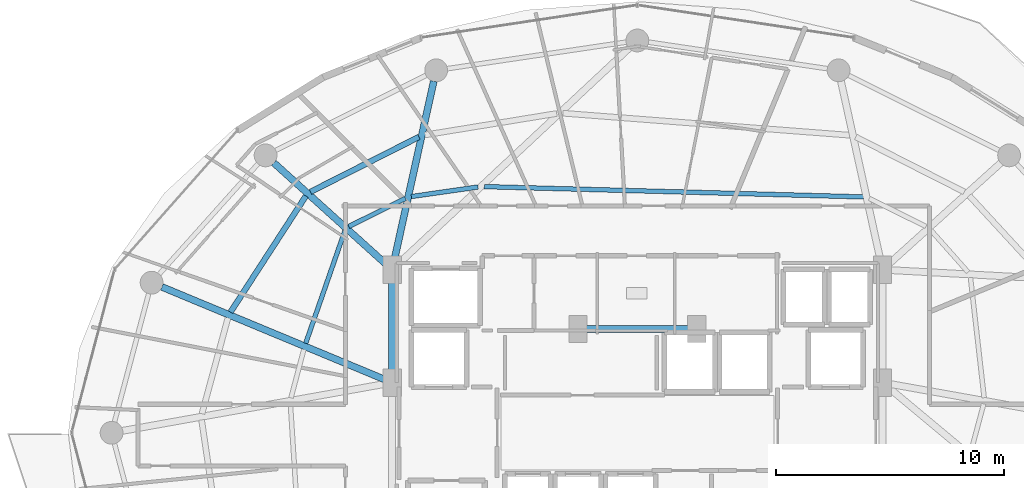
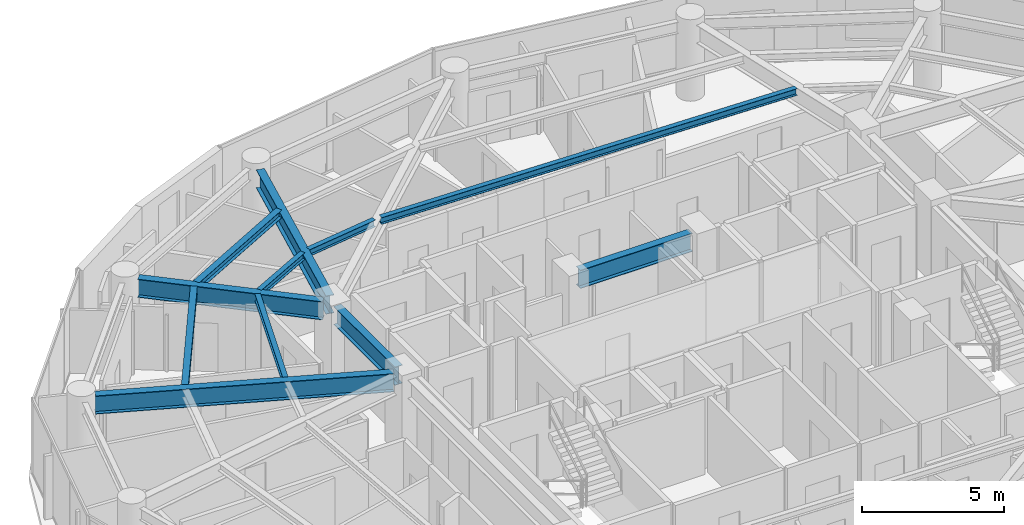
# One storey, part 9 of 28: 11 beams.
"""IFC4 building model written with IfcOpenShell, lengths in metres."""

from ifc_helpers import new_model, si_unit, direction, frame, origin, origin_2d, place, context, subcontext, project, spatial, i_section, extrude, material, material_profile, profile_set, type_object, element, save


model = new_model("IFC4")

# Units and contexts
model_context = context("Model", 3, precision=1e-05, world=origin(), true_north=direction((0.0, 1.0)))
body_context = subcontext(model_context, "Body", "Model", "MODEL_VIEW")
ifc_project = project(units=[si_unit("LENGTHUNIT", "METRE"), si_unit("AREAUNIT", "SQUARE_METRE"), si_unit("VOLUMEUNIT", "CUBIC_METRE"), si_unit("PLANEANGLEUNIT", "RADIAN"), si_unit("MASSUNIT", "GRAM", prefix="KILO")], contexts=[model_context])

# Site, building, storey
site_placement = place(None, origin())
site = spatial("IfcSite", under=ifc_project, at=site_placement, CompositionType="ELEMENT")
building_placement = place(site_placement, origin())
building = spatial("IfcBuilding", under=site, at=building_placement, Name="Vorneva Point Tower", CompositionType="ELEMENT")
storey_placement = place(building_placement, frame((0.0, 0.0, 164.10009765625)))
storey = spatial("IfcBuildingStorey", under=building, at=storey_placement, Name="L44", CompositionType="ELEMENT", Elevation=164.10009765625)

# Beams
ifc_material = material(Name="Steel S355", Category="steel")
ifc_material_profile_1 = material_profile(ifc_material, i_section(OverallWidth=0.300048828125, OverallDepth=0.7880859375, WebThickness=0.014404296875, FlangeThickness=0.02197265625, at=origin_2d()), Name="80Sh1")
ifc_profile_set_1 = profile_set([ifc_material_profile_1], Name="Steel S355")
beam_type_1 = type_object("IfcBeamType", Name="BM-GRD-80Sh1", PredefinedType="USERDEFINED", material=ifc_profile_set_1)
beam_1_placement = place(storey_placement, frame((29.073974609375, 41.414306640625, 2.845947265625), z_axis=(-0.215520500859, -0.976499315775, 0.0), x_axis=(0.976499315775, -0.215520500859, 0.0)))
element("IfcBeam", 1, at=beam_1_placement, inside=storey, type_object=beam_type_1, Name="L44 Radial Primary Girder 06", ObjectType="GIRDER", PredefinedType="USERDEFINED", context=body_context, shape_type="SweptSolid", body=[
    extrude(i_section(OverallWidth=0.300048828125, OverallDepth=0.7880859375, WebThickness=0.014404296875, FlangeThickness=0.02197265625, at=origin_2d()), origin(), (0.0, 0.0, 1.0), 8.123291015625),
])
beam_2_placement = place(storey_placement, frame((22.063232421875, 37.835205078125, 2.845947265625), z_axis=(0.742084379637, -0.670306477292, 0.0), x_axis=(0.670306477292, 0.742084379637, 0.0)))
element("IfcBeam", 2, at=beam_2_placement, inside=storey, type_object=beam_type_1, Name="L44 Radial Primary Girder 07", ObjectType="GIRDER", PredefinedType="USERDEFINED", context=body_context, shape_type="SweptSolid", body=[
    extrude(i_section(OverallWidth=0.300048828125, OverallDepth=0.7880859375, WebThickness=0.014404296875, FlangeThickness=0.02197265625, at=origin_2d()), origin(), (0.0, 0.0, 1.0), 6.649658203125),
])
beam_3_placement = place(storey_placement, frame((17.1552734375, 32.39501953125, 2.845947265625), z_axis=(0.923440676596, -0.383741210723, 0.0), x_axis=(0.383741210723, 0.923440676596, 0.0)))
element("IfcBeam", 3, at=beam_3_placement, inside=storey, type_object=beam_type_1, Name="L44 Radial Primary Girder 08", ObjectType="GIRDER", PredefinedType="USERDEFINED", context=body_context, shape_type="SweptSolid", body=[
    extrude(i_section(OverallWidth=0.300048828125, OverallDepth=0.7880859375, WebThickness=0.014404296875, FlangeThickness=0.02197265625, at=origin_2d()), origin(), (0.0, 0.0, 1.0), 10.591552734375),
])
beam_4_placement = place(storey_placement, frame((27.25, 28.52001953125, 2.845947265625), z_axis=(0.0, 1.0, 0.0), x_axis=(-1.0, 0.0, 0.0)))
element("IfcBeam", 4, at=beam_4_placement, inside=storey, type_object=beam_type_1, Name="L44 Core Tie Girder CT2", ObjectType="GIRDER", PredefinedType="USERDEFINED", context=body_context, shape_type="SweptSolid", body=[
    extrude(i_section(OverallWidth=0.300048828125, OverallDepth=0.7880859375, WebThickness=0.014404296875, FlangeThickness=0.02197265625, at=origin_2d()), origin(), (0.0, 0.0, 1.0), 4.31005859375),
])
beam_5_placement = place(storey_placement, frame((35.719970703125, 30.550048828125, 2.845947265625), z_axis=(1.0, 0.0, 0.0), x_axis=(0.0, 1.0, 0.0)))
element("IfcBeam", 5, at=beam_5_placement, inside=storey, type_object=beam_type_1, Name="L44 Core Tie Girder CT8", ObjectType="GIRDER", PredefinedType="USERDEFINED", context=body_context, shape_type="SweptSolid", body=[
    extrude(i_section(OverallWidth=0.300048828125, OverallDepth=0.7880859375, WebThickness=0.014404296875, FlangeThickness=0.02197265625, at=origin_2d()), origin(), (0.0, 0.0, 1.0), 4.56005859375),
])
ifc_material_profile_2 = material_profile(ifc_material, i_section(OverallWidth=0.199951171875, OverallDepth=0.291015625, WebThickness=0.008056640625, FlangeThickness=0.010986328125, at=origin_2d()), Name="30Sh1")
ifc_profile_set_2 = profile_set([ifc_material_profile_2], Name="Steel S355")
beam_type_2 = type_object("IfcBeamType", Name="BM-SEC-30Sh1", PredefinedType="BEAM", material=ifc_profile_set_2)
beam_6_placement = place(storey_placement, frame((47.908447265625, 36.34130859375, 3.094482421875), z_axis=(-0.999630939396, 0.027165879367, 0.0), x_axis=(-0.027165879367, -0.999630939396, 0.0)))
element("IfcBeam", 6, at=beam_6_placement, inside=storey, type_object=beam_type_2, Name="L44 Secondary Floor Beam 2.04", PredefinedType="BEAM", context=body_context, shape_type="SweptSolid", body=[
    extrude(i_section(OverallWidth=0.199951171875, OverallDepth=0.291015625, WebThickness=0.008056640625, FlangeThickness=0.010986328125, at=origin_2d()), origin(), (0.0, 0.0, 1.0), 16.6259765625),
])
beam_7_placement = place(storey_placement, frame((31.013916015625, 36.777099609375, 3.094482421875), z_axis=(-0.989843421771, -0.142161880882, 0.0), x_axis=(0.142161880882, -0.989843421771, 0.0)))
element("IfcBeam", 7, at=beam_7_placement, inside=storey, type_object=beam_type_2, Name="L44 Secondary Floor Beam 2.05", PredefinedType="BEAM", context=body_context, shape_type="SweptSolid", body=[
    extrude(i_section(OverallWidth=0.199951171875, OverallDepth=0.291015625, WebThickness=0.008056640625, FlangeThickness=0.010986328125, at=origin_2d()), origin(), (0.0, 0.0, 1.0), 2.953857421875),
])
beam_8_placement = place(storey_placement, frame((27.829833984375, 36.2763671875, 3.094482421875), z_axis=(-0.895831018968, -0.444394853092, 0.0), x_axis=(0.444394853092, -0.895831018968, 0.0)))
element("IfcBeam", 8, at=beam_8_placement, inside=storey, type_object=beam_type_2, Name="L44 Secondary Floor Beam 2.06", PredefinedType="BEAM", context=body_context, shape_type="SweptSolid", body=[
    extrude(i_section(OverallWidth=0.199951171875, OverallDepth=0.291015625, WebThickness=0.008056640625, FlangeThickness=0.010986328125, at=origin_2d()), origin(), (0.0, 0.0, 1.0), 2.77392578125),
])
beam_9_placement = place(storey_placement, frame((25.17578125, 34.852294921875, 3.094482421875), z_axis=(-0.328761958151, -0.944412820155, 0.0), x_axis=(0.944412820155, -0.328761958151, 0.0)))
element("IfcBeam", 9, at=beam_9_placement, inside=storey, type_object=beam_type_2, Name="L44 Secondary Floor Beam 2.07", PredefinedType="BEAM", context=body_context, shape_type="SweptSolid", body=[
    extrude(i_section(OverallWidth=0.199951171875, OverallDepth=0.291015625, WebThickness=0.008056640625, FlangeThickness=0.010986328125, at=origin_2d()), origin(), (0.0, 0.0, 1.0), 5.21826171875),
])
ifc_material_profile_3 = material_profile(ifc_material, i_section(OverallWidth=0.2490234375, OverallDepth=0.333984375, WebThickness=0.008056640625, FlangeThickness=0.010986328125, at=origin_2d()), Name="35Sh1")
ifc_profile_set_3 = profile_set([ifc_material_profile_3], Name="Steel S355")
beam_type_3 = type_object("IfcBeamType", Name="BM-SEC-35Sh1", PredefinedType="BEAM", material=ifc_profile_set_3)
beam_10_placement = place(storey_placement, frame((28.425537109375, 38.97216796875, 3.072998046875), z_axis=(-0.891979436535, -0.452075972375, 0.0), x_axis=(0.452075972375, -0.891979436535, 0.0)))
element("IfcBeam", 10, at=beam_10_placement, inside=storey, type_object=beam_type_3, Name="L44 Secondary Floor Beam 1.06", PredefinedType="BEAM", context=body_context, shape_type="SweptSolid", body=[
    extrude(i_section(OverallWidth=0.2490234375, OverallDepth=0.333984375, WebThickness=0.008056640625, FlangeThickness=0.010986328125, at=origin_2d()), origin(), (0.0, 0.0, 1.0), 5.335205078125),
])
beam_11_placement = place(storey_placement, frame((23.468505859375, 36.382080078125, 3.072998046875), z_axis=(-0.544400002832, -0.83882574884, 0.0), x_axis=(0.83882574884, -0.544400002832, 0.0)))
element("IfcBeam", 11, at=beam_11_placement, inside=storey, type_object=beam_type_3, Name="L44 Secondary Floor Beam 1.07", PredefinedType="BEAM", context=body_context, shape_type="SweptSolid", body=[
    extrude(i_section(OverallWidth=0.2490234375, OverallDepth=0.333984375, WebThickness=0.008056640625, FlangeThickness=0.010986328125, at=origin_2d()), origin(), (0.0, 0.0, 1.0), 6.069091796875),
])

save(model, "model.ifc")
